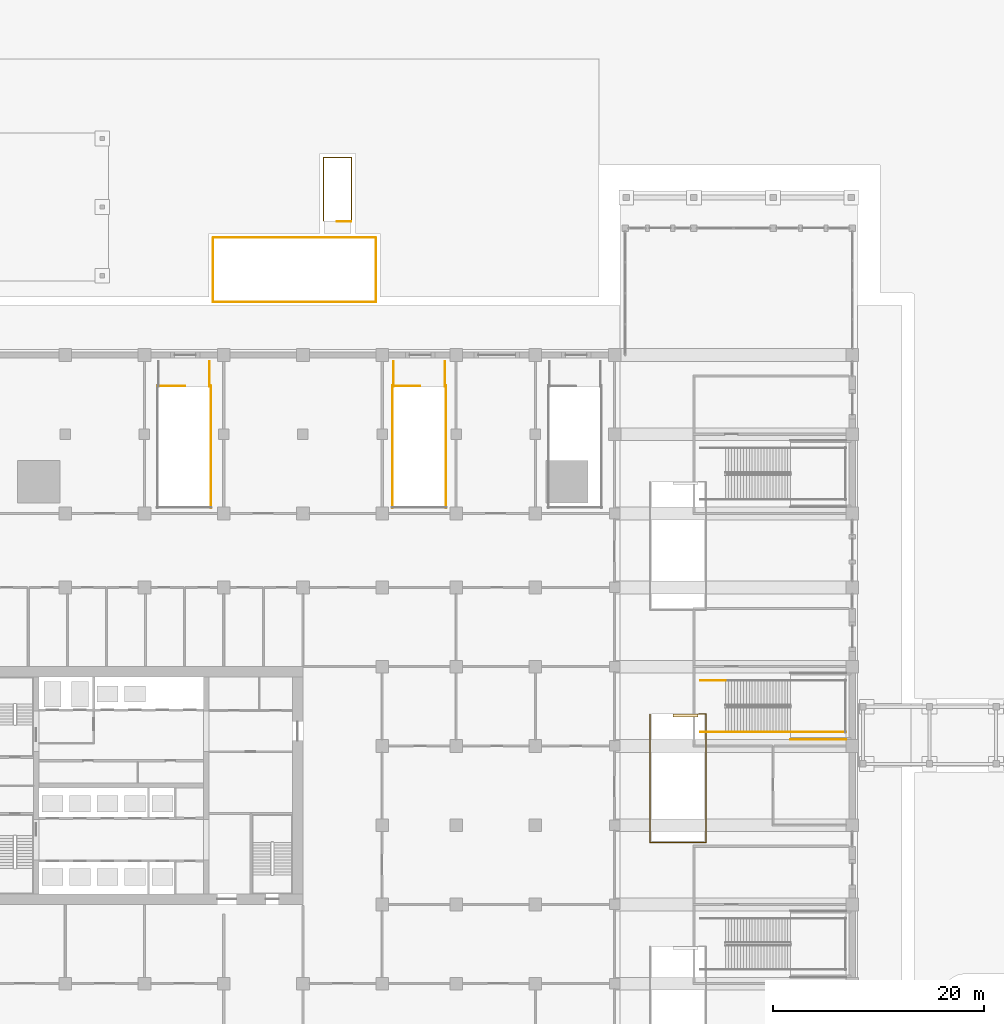
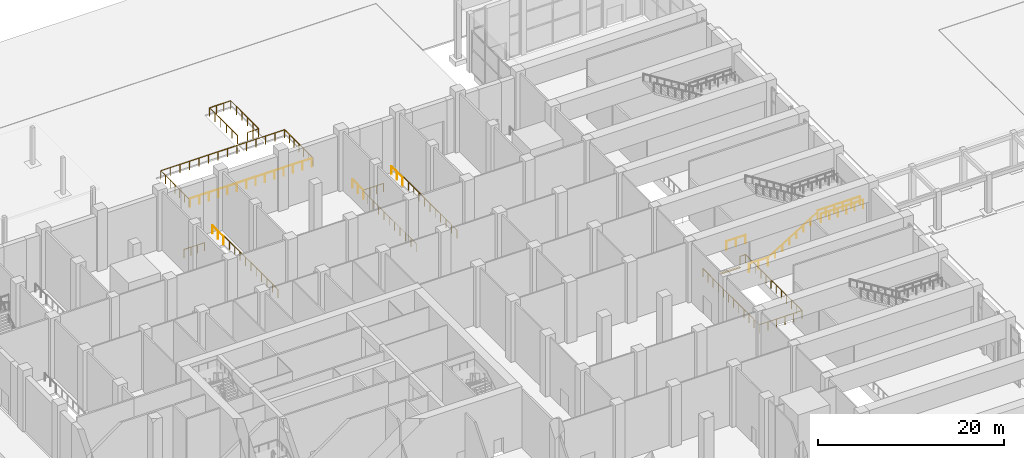
# One storey, part 48 of 57: 18 railings, 1 covering.
"""IFC4 building model written with IfcOpenShell, lengths in metres."""

from ifc_helpers import new_model, si_unit, direction, frame, origin, origin_2d, place, context, subcontext, project, spatial, polyline, circle, outline, extrude, material, layer, layer_set, type_object, element, save


model = new_model("IFC4")

# Units and contexts
model_context = context("Model", 3, precision=1e-05, world=origin(), true_north=direction((0.0, 1.0)))
body_context = subcontext(model_context, "Body", "Model", "MODEL_VIEW")
ifc_project = project(units=[si_unit("LENGTHUNIT", "METRE"), si_unit("AREAUNIT", "SQUARE_METRE"), si_unit("VOLUMEUNIT", "CUBIC_METRE"), si_unit("PLANEANGLEUNIT", "RADIAN"), si_unit("MASSUNIT", "GRAM", prefix="KILO")], contexts=[model_context])

# Site, building, storey
site_placement = place(None, origin())
site = spatial("IfcSite", under=ifc_project, at=site_placement, CompositionType="ELEMENT")
building_placement = place(site_placement, origin())
building = spatial("IfcBuilding", under=site, at=building_placement, Name="Tamorin Gate", CompositionType="ELEMENT")
storey_placement = place(building_placement, origin())
storey = spatial("IfcBuildingStorey", under=building, at=storey_placement, Name="L00", CompositionType="ELEMENT", Elevation=0.0)

# Covering
ifc_material_1 = material(Name="Steel, galvanised", Category="steel")
ifc_layer = layer(ifc_material_1, 0.050048828125)
ifc_layer_set = layer_set([ifc_layer], Name="Escalator landing plate 50")
covering_type = type_object("IfcCoveringType", Name="Escalator landing plate 50", PredefinedType="FLOORING", material=ifc_layer_set)
covering_placement = place(storey_placement, frame((0.0, 0.0, -0.25)))
element("IfcCovering", 1, at=covering_placement, inside=storey, type_object=covering_type, Name="Escalator landing plate", PredefinedType="FLOORING", context=body_context, shape_type="SweptSolid", body=[
    extrude(outline(polyline([(95.0, 77.75), (97.39990234375, 77.75), (97.39990234375, 78.0), (95.0, 78.0), (95.0, 77.75)])), origin(), (0.0, 0.0, 1.0), 0.050048828125),
])

# Railings
ifc_material_2 = material(Name="Steel", Category="steel")
railing_type_1 = type_object("IfcRailingType", Name="Podium guard 1100", PredefinedType="GUARDRAIL", material=ifc_material_2)
railing_1_placement = place(storey_placement, frame((106.159912109375, 76.324951171875, 4.0)))
element("IfcRailing", 2, at=railing_1_placement, inside=storey, type_object=railing_type_1, Name="L00 PS5 stair guard 3", PredefinedType="GUARDRAIL", context=body_context, shape_type="SweptSolid", body=[
    extrude(circle(Radius=0.02392578125, at=origin_2d()), frame((0.0, 0.0, 1.076171875), z_axis=(1.0, 0.0, 0.0), x_axis=(0.0, 1.0, 0.0)), (0.0, 0.0, 1.0), 5.239990234375),
    extrude(circle(Radius=0.02099609375, at=origin_2d()), origin(), (0.0, 0.0, 1.0), 1.052001953125),
    extrude(circle(Radius=0.02099609375, at=origin_2d()), frame((1.048095703125, 0.0, 0.0)), (0.0, 0.0, 1.0), 1.052001953125),
    extrude(circle(Radius=0.02099609375, at=origin_2d()), frame((2.095947265625, 0.0, 0.0)), (0.0, 0.0, 1.0), 1.052001953125),
    extrude(circle(Radius=0.02099609375, at=origin_2d()), frame((3.14404296875, 0.0, 0.0)), (0.0, 0.0, 1.0), 1.052001953125),
    extrude(circle(Radius=0.02099609375, at=origin_2d()), frame((4.19189453125, 0.0, 0.0)), (0.0, 0.0, 1.0), 1.052001953125),
    extrude(circle(Radius=0.02099609375, at=origin_2d()), frame((5.239990234375, 0.0, 0.0)), (0.0, 0.0, 1.0), 1.052001953125),
])
for number, where, name in (
    (3, (97.60009765625, 76.324951171875, 0.0), "L00 PS5 stair guard 8"),
    (4, (97.60009765625, 81.175048828125, 0.0), "L00 PS5 stair guard 9"),
):
    element("IfcRailing", number, at=place(storey_placement, frame(where)), inside=storey, type_object=railing_type_1, Name=name, PredefinedType="GUARDRAIL", context=body_context, shape_type="SweptSolid", body=[
        extrude(circle(Radius=0.02392578125, at=origin_2d()), frame((0.0, 0.0, 1.076171875), z_axis=(1.0, 0.0, 0.0), x_axis=(0.0, 1.0, 0.0)), (0.0, 0.0, 1.0), 2.39990234375),
        extrude(circle(Radius=0.02099609375, at=origin_2d()), origin(), (0.0, 0.0, 1.0), 1.052001953125),
        extrude(circle(Radius=0.02099609375, at=origin_2d()), frame((1.199951171875, 0.0, 0.0)), (0.0, 0.0, 1.0), 1.052001953125),
        extrude(circle(Radius=0.02099609375, at=origin_2d()), frame((2.39990234375, 0.0, 0.0)), (0.0, 0.0, 1.0), 1.052001953125),
    ])
railing_2_placement = place(storey_placement, frame((106.159912109375, 75.60009765625, 4.0)))
element("IfcRailing", 5, at=railing_2_placement, inside=storey, type_object=railing_type_1, Name="Landing edge guard", PredefinedType="GUARDRAIL", context=body_context, shape_type="SweptSolid", body=[
    extrude(circle(Radius=0.02392578125, at=origin_2d()), frame((0.0, 0.0, 1.076171875), z_axis=(1.0, 0.0, 0.0), x_axis=(0.0, 1.0, 0.0)), (0.0, 0.0, 1.0), 5.239990234375),
    extrude(circle(Radius=0.02099609375, at=origin_2d()), origin(), (0.0, 0.0, 1.0), 1.052001953125),
    extrude(circle(Radius=0.02099609375, at=origin_2d()), frame((1.048095703125, 0.0, 0.0)), (0.0, 0.0, 1.0), 1.052001953125),
    extrude(circle(Radius=0.02099609375, at=origin_2d()), frame((2.095947265625, 0.0, 0.0)), (0.0, 0.0, 1.0), 1.052001953125),
    extrude(circle(Radius=0.02099609375, at=origin_2d()), frame((3.14404296875, 0.0, 0.0)), (0.0, 0.0, 1.0), 1.052001953125),
    extrude(circle(Radius=0.02099609375, at=origin_2d()), frame((4.19189453125, 0.0, 0.0)), (0.0, 0.0, 1.0), 1.052001953125),
    extrude(circle(Radius=0.02099609375, at=origin_2d()), frame((5.239990234375, 0.0, 0.0)), (0.0, 0.0, 1.0), 1.052001953125),
])
railing_3_placement = place(storey_placement, frame((46.27490234375, 109.050048828125, 0.0)))
element("IfcRailing", 6, at=railing_3_placement, inside=storey, type_object=railing_type_1, Name="L00 SB3 top well guard 1", PredefinedType="GUARDRAIL", context=body_context, shape_type="SweptSolid", body=[
    extrude(circle(Radius=0.02392578125, at=origin_2d()), frame((0.0, 0.0, 1.076171875), z_axis=(1.0, 0.0, 0.0), x_axis=(0.0, 1.0, 0.0)), (0.0, 0.0, 1.0), 2.550048828125),
    extrude(circle(Radius=0.02099609375, at=origin_2d()), origin(), (0.0, 0.0, 1.0), 1.052001953125),
    extrude(circle(Radius=0.02099609375, at=origin_2d()), frame((0.85009765625, 0.0, 0.0)), (0.0, 0.0, 1.0), 1.052001953125),
    extrude(circle(Radius=0.02099609375, at=origin_2d()), frame((1.699951171875, 0.0, 0.0)), (0.0, 0.0, 1.0), 1.052001953125),
    extrude(circle(Radius=0.02099609375, at=origin_2d()), frame((2.550048828125, 0.0, 0.0)), (0.0, 0.0, 1.0), 1.052001953125),
])
railing_4_placement = place(storey_placement, frame((51.27490234375, 109.10009765625, 0.0)))
element("IfcRailing", 7, at=railing_4_placement, inside=storey, type_object=railing_type_1, Name="L00 SB3 top well guard 3", PredefinedType="GUARDRAIL", context=body_context, shape_type="SweptSolid", body=[
    extrude(circle(Radius=0.02392578125, at=origin_2d()), frame((0.0, 0.0, 1.076171875), z_axis=(0.0, -1.0, 0.0), x_axis=(1.0, 0.0, 0.0)), (0.0, 0.0, 1.0), 11.60009765625),
    extrude(circle(Radius=0.02099609375, at=origin_2d()), origin(), (0.0, 0.0, 1.0), 1.052001953125),
    extrude(circle(Radius=0.02099609375, at=origin_2d()), frame((0.0, -1.159912109375, 0.0)), (0.0, 0.0, 1.0), 1.052001953125),
    extrude(circle(Radius=0.02099609375, at=origin_2d()), frame((0.0, -2.320068359375, 0.0)), (0.0, 0.0, 1.0), 1.052001953125),
    extrude(circle(Radius=0.02099609375, at=origin_2d()), frame((0.0, -3.47998046875, 0.0)), (0.0, 0.0, 1.0), 1.052001953125),
    extrude(circle(Radius=0.02099609375, at=origin_2d()), frame((0.0, -4.64013671875, 0.0)), (0.0, 0.0, 1.0), 1.052001953125),
    extrude(circle(Radius=0.02099609375, at=origin_2d()), frame((0.0, -5.800048828125, 0.0)), (0.0, 0.0, 1.0), 1.052001953125),
    extrude(circle(Radius=0.02099609375, at=origin_2d()), frame((0.0, -6.9599609375, 0.0)), (0.0, 0.0, 1.0), 1.052001953125),
    extrude(circle(Radius=0.02099609375, at=origin_2d()), frame((0.0, -8.1201171875, 0.0)), (0.0, 0.0, 1.0), 1.052001953125),
    extrude(circle(Radius=0.02099609375, at=origin_2d()), frame((0.0, -9.280029296875, 0.0)), (0.0, 0.0, 1.0), 1.052001953125),
    extrude(circle(Radius=0.02099609375, at=origin_2d()), frame((0.0, -10.440185546875, 0.0)), (0.0, 0.0, 1.0), 1.052001953125),
    extrude(circle(Radius=0.02099609375, at=origin_2d()), frame((0.0, -11.60009765625, 0.0)), (0.0, 0.0, 1.0), 1.052001953125),
])
railing_5_placement = place(storey_placement, frame((51.175048828125, 111.39990234375, 0.0)))
element("IfcRailing", 8, at=railing_5_placement, inside=storey, type_object=railing_type_1, Name="L00 SB3 top well guard 6", PredefinedType="GUARDRAIL", context=body_context, shape_type="SweptSolid", body=[
    extrude(circle(Radius=0.02392578125, at=origin_2d()), frame((0.0, 0.0, 1.076171875), z_axis=(0.0, -1.0, 0.0), x_axis=(1.0, 0.0, 0.0)), (0.0, 0.0, 1.0), 2.39990234375),
    extrude(circle(Radius=0.02099609375, at=origin_2d()), origin(), (0.0, 0.0, 1.0), 1.052001953125),
    extrude(circle(Radius=0.02099609375, at=origin_2d()), frame((0.0, -1.199951171875, 0.0)), (0.0, 0.0, 1.0), 1.052001953125),
    extrude(circle(Radius=0.02099609375, at=origin_2d()), frame((0.0, -2.39990234375, 0.0)), (0.0, 0.0, 1.0), 1.052001953125),
])
railing_6_placement = place(storey_placement, frame((68.52490234375, 109.050048828125, 0.0)))
element("IfcRailing", 9, at=railing_6_placement, inside=storey, type_object=railing_type_1, Name="L00 SB4 top well guard 1", PredefinedType="GUARDRAIL", context=body_context, shape_type="SweptSolid", body=[
    extrude(circle(Radius=0.02392578125, at=origin_2d()), frame((0.0, 0.0, 1.076171875), z_axis=(1.0, 0.0, 0.0), x_axis=(0.0, 1.0, 0.0)), (0.0, 0.0, 1.0), 2.550048828125),
    extrude(circle(Radius=0.02099609375, at=origin_2d()), origin(), (0.0, 0.0, 1.0), 1.052001953125),
    extrude(circle(Radius=0.02099609375, at=origin_2d()), frame((0.85009765625, 0.0, 0.0)), (0.0, 0.0, 1.0), 1.052001953125),
    extrude(circle(Radius=0.02099609375, at=origin_2d()), frame((1.699951171875, 0.0, 0.0)), (0.0, 0.0, 1.0), 1.052001953125),
    extrude(circle(Radius=0.02099609375, at=origin_2d()), frame((2.550048828125, 0.0, 0.0)), (0.0, 0.0, 1.0), 1.052001953125),
])
for number, where, name in (
    (10, (68.47509765625, 109.10009765625, 0.0), "L00 SB4 top well guard 2"),
    (11, (73.52490234375, 109.10009765625, 0.0), "L00 SB4 top well guard 3"),
):
    element("IfcRailing", number, at=place(storey_placement, frame(where)), inside=storey, type_object=railing_type_1, Name=name, PredefinedType="GUARDRAIL", context=body_context, shape_type="SweptSolid", body=[
        extrude(circle(Radius=0.02392578125, at=origin_2d()), frame((0.0, 0.0, 1.076171875), z_axis=(0.0, -1.0, 0.0), x_axis=(1.0, 0.0, 0.0)), (0.0, 0.0, 1.0), 11.60009765625),
        extrude(circle(Radius=0.02099609375, at=origin_2d()), origin(), (0.0, 0.0, 1.0), 1.052001953125),
        extrude(circle(Radius=0.02099609375, at=origin_2d()), frame((0.0, -1.159912109375, 0.0)), (0.0, 0.0, 1.0), 1.052001953125),
        extrude(circle(Radius=0.02099609375, at=origin_2d()), frame((0.0, -2.320068359375, 0.0)), (0.0, 0.0, 1.0), 1.052001953125),
        extrude(circle(Radius=0.02099609375, at=origin_2d()), frame((0.0, -3.47998046875, 0.0)), (0.0, 0.0, 1.0), 1.052001953125),
        extrude(circle(Radius=0.02099609375, at=origin_2d()), frame((0.0, -4.64013671875, 0.0)), (0.0, 0.0, 1.0), 1.052001953125),
        extrude(circle(Radius=0.02099609375, at=origin_2d()), frame((0.0, -5.800048828125, 0.0)), (0.0, 0.0, 1.0), 1.052001953125),
        extrude(circle(Radius=0.02099609375, at=origin_2d()), frame((0.0, -6.9599609375, 0.0)), (0.0, 0.0, 1.0), 1.052001953125),
        extrude(circle(Radius=0.02099609375, at=origin_2d()), frame((0.0, -8.1201171875, 0.0)), (0.0, 0.0, 1.0), 1.052001953125),
        extrude(circle(Radius=0.02099609375, at=origin_2d()), frame((0.0, -9.280029296875, 0.0)), (0.0, 0.0, 1.0), 1.052001953125),
        extrude(circle(Radius=0.02099609375, at=origin_2d()), frame((0.0, -10.440185546875, 0.0)), (0.0, 0.0, 1.0), 1.052001953125),
        extrude(circle(Radius=0.02099609375, at=origin_2d()), frame((0.0, -11.60009765625, 0.0)), (0.0, 0.0, 1.0), 1.052001953125),
    ])
for number, where, name in (
    (12, (68.574951171875, 111.39990234375, 0.0), "L00 SB4 top well guard 5"),
    (13, (73.425048828125, 111.39990234375, 0.0), "L00 SB4 top well guard 6"),
):
    element("IfcRailing", number, at=place(storey_placement, frame(where)), inside=storey, type_object=railing_type_1, Name=name, PredefinedType="GUARDRAIL", context=body_context, shape_type="SweptSolid", body=[
        extrude(circle(Radius=0.02392578125, at=origin_2d()), frame((0.0, 0.0, 1.076171875), z_axis=(0.0, -1.0, 0.0), x_axis=(1.0, 0.0, 0.0)), (0.0, 0.0, 1.0), 2.39990234375),
        extrude(circle(Radius=0.02099609375, at=origin_2d()), origin(), (0.0, 0.0, 1.0), 1.052001953125),
        extrude(circle(Radius=0.02099609375, at=origin_2d()), frame((0.0, -1.199951171875, 0.0)), (0.0, 0.0, 1.0), 1.052001953125),
        extrude(circle(Radius=0.02099609375, at=origin_2d()), frame((0.0, -2.39990234375, 0.0)), (0.0, 0.0, 1.0), 1.052001953125),
    ])
railing_type_2 = type_object("IfcRailingType", Name="Podium stair handrail 900", PredefinedType="HANDRAIL", material=ifc_material_2)
railing_7_placement = place(storey_placement, frame((100.0, 76.324951171875, 0.173828125)))
element("IfcRailing", 14, at=railing_7_placement, inside=storey, type_object=railing_type_2, Name="L00 PS5 stair handrail 1", PredefinedType="HANDRAIL", context=body_context, shape_type="SweptSolid", body=[
    extrude(circle(Radius=0.02392578125, at=origin_2d()), frame((0.0, 0.0, 0.8759765625), z_axis=(0.849468459523, 0.0, 0.527639399851), x_axis=(0.0, 1.0, 0.0)), (0.0, 0.0, 1.0), 7.25146484375),
    extrude(circle(Radius=0.02099609375, at=origin_2d()), origin(), (0.0, 0.0, 1.0), 0.851806640625),
    extrude(circle(Radius=0.02099609375, at=origin_2d()), frame((0.8798828125, 0.0, 0.546630859375)), (0.0, 0.0, 1.0), 0.851806640625),
    extrude(circle(Radius=0.02099609375, at=origin_2d()), frame((1.760009765625, 0.0, 1.09326171875)), (0.0, 0.0, 1.0), 0.851806640625),
    extrude(circle(Radius=0.02099609375, at=origin_2d()), frame((2.639892578125, 0.0, 1.639892578125)), (0.0, 0.0, 1.0), 0.851806640625),
    extrude(circle(Radius=0.02099609375, at=origin_2d()), frame((3.52001953125, 0.0, 2.186279296875)), (0.0, 0.0, 1.0), 0.851806640625),
    extrude(circle(Radius=0.02099609375, at=origin_2d()), frame((4.39990234375, 0.0, 2.73291015625)), (0.0, 0.0, 1.0), 0.851806640625),
    extrude(circle(Radius=0.02099609375, at=origin_2d()), frame((5.280029296875, 0.0, 3.279541015625)), (0.0, 0.0, 1.0), 0.851806640625),
    extrude(circle(Radius=0.02099609375, at=origin_2d()), frame((6.159912109375, 0.0, 3.826171875)), (0.0, 0.0, 1.0), 0.851806640625),
])
railing_type_3 = type_object("IfcRailingType", Name="Station barrier 1100", PredefinedType="GUARDRAIL", material=ifc_material_2)
railing_8_placement = place(storey_placement, frame((92.85009765625, 78.0, 0.0)))
element("IfcRailing", 15, at=railing_8_placement, inside=storey, type_object=railing_type_3, Name="Station void barrier", PredefinedType="GUARDRAIL", context=body_context, shape_type="SweptSolid", body=[
    extrude(circle(Radius=0.02392578125, at=origin_2d()), frame((0.0, 0.0, 1.076171875), z_axis=(0.0, -1.0, 0.0), x_axis=(1.0, 0.0, 0.0)), (0.0, 0.0, 1.0), 12.14990234375),
    extrude(circle(Radius=0.02392578125, at=origin_2d()), frame((0.0, -12.14990234375, 1.076171875), z_axis=(1.0, 0.0, 0.0), x_axis=(0.0, 1.0, 0.0)), (0.0, 0.0, 1.0), 5.2998046875),
    extrude(circle(Radius=0.02392578125, at=origin_2d()), frame((5.2998046875, -12.14990234375, 1.076171875), z_axis=(0.0, 1.0, 0.0), x_axis=(-1.0, 0.0, 0.0)), (0.0, 0.0, 1.0), 12.14990234375),
    extrude(circle(Radius=0.02392578125, at=origin_2d()), frame((5.2998046875, 0.0, 1.076171875), z_axis=(-1.0, 0.0, 0.0), x_axis=(0.0, -1.0, 0.0)), (0.0, 0.0, 1.0), 0.699951171875),
    extrude(circle(Radius=0.02099609375, at=origin_2d()), origin(), (0.0, 0.0, 1.0), 1.052001953125),
    extrude(circle(Radius=0.02099609375, at=origin_2d()), frame((0.0, -1.1044921875, 0.0)), (0.0, 0.0, 1.0), 1.052001953125),
    extrude(circle(Radius=0.02099609375, at=origin_2d()), frame((0.0, -2.208984375, 0.0)), (0.0, 0.0, 1.0), 1.052001953125),
    extrude(circle(Radius=0.02099609375, at=origin_2d()), frame((0.0, -3.313720703125, 0.0)), (0.0, 0.0, 1.0), 1.052001953125),
    extrude(circle(Radius=0.02099609375, at=origin_2d()), frame((0.0, -4.418212890625, 0.0)), (0.0, 0.0, 1.0), 1.052001953125),
    extrude(circle(Radius=0.02099609375, at=origin_2d()), frame((0.0, -5.522705078125, 0.0)), (0.0, 0.0, 1.0), 1.052001953125),
    extrude(circle(Radius=0.02099609375, at=origin_2d()), frame((0.0, -6.627197265625, 0.0)), (0.0, 0.0, 1.0), 1.052001953125),
    extrude(circle(Radius=0.02099609375, at=origin_2d()), frame((0.0, -7.731689453125, 0.0)), (0.0, 0.0, 1.0), 1.052001953125),
    extrude(circle(Radius=0.02099609375, at=origin_2d()), frame((0.0, -8.836181640625, 0.0)), (0.0, 0.0, 1.0), 1.052001953125),
    extrude(circle(Radius=0.02099609375, at=origin_2d()), frame((0.0, -9.94091796875, 0.0)), (0.0, 0.0, 1.0), 1.052001953125),
    extrude(circle(Radius=0.02099609375, at=origin_2d()), frame((0.0, -11.04541015625, 0.0)), (0.0, 0.0, 1.0), 1.052001953125),
    extrude(circle(Radius=0.02099609375, at=origin_2d()), frame((0.0, -12.14990234375, 0.0)), (0.0, 0.0, 1.0), 1.052001953125),
    extrude(circle(Radius=0.02099609375, at=origin_2d()), frame((1.06005859375, -12.14990234375, 0.0)), (0.0, 0.0, 1.0), 1.052001953125),
    extrude(circle(Radius=0.02099609375, at=origin_2d()), frame((2.119873046875, -12.14990234375, 0.0)), (0.0, 0.0, 1.0), 1.052001953125),
    extrude(circle(Radius=0.02099609375, at=origin_2d()), frame((3.179931640625, -12.14990234375, 0.0)), (0.0, 0.0, 1.0), 1.052001953125),
    extrude(circle(Radius=0.02099609375, at=origin_2d()), frame((4.23974609375, -12.14990234375, 0.0)), (0.0, 0.0, 1.0), 1.052001953125),
    extrude(circle(Radius=0.02099609375, at=origin_2d()), frame((5.2998046875, -12.14990234375, 0.0)), (0.0, 0.0, 1.0), 1.052001953125),
    extrude(circle(Radius=0.02099609375, at=origin_2d()), frame((5.2998046875, -11.04541015625, 0.0)), (0.0, 0.0, 1.0), 1.052001953125),
    extrude(circle(Radius=0.02099609375, at=origin_2d()), frame((5.2998046875, -9.94091796875, 0.0)), (0.0, 0.0, 1.0), 1.052001953125),
    extrude(circle(Radius=0.02099609375, at=origin_2d()), frame((5.2998046875, -8.836181640625, 0.0)), (0.0, 0.0, 1.0), 1.052001953125),
    extrude(circle(Radius=0.02099609375, at=origin_2d()), frame((5.2998046875, -7.731689453125, 0.0)), (0.0, 0.0, 1.0), 1.052001953125),
    extrude(circle(Radius=0.02099609375, at=origin_2d()), frame((5.2998046875, -6.627197265625, 0.0)), (0.0, 0.0, 1.0), 1.052001953125),
    extrude(circle(Radius=0.02099609375, at=origin_2d()), frame((5.2998046875, -5.522705078125, 0.0)), (0.0, 0.0, 1.0), 1.052001953125),
    extrude(circle(Radius=0.02099609375, at=origin_2d()), frame((5.2998046875, -4.418212890625, 0.0)), (0.0, 0.0, 1.0), 1.052001953125),
    extrude(circle(Radius=0.02099609375, at=origin_2d()), frame((5.2998046875, -3.313720703125, 0.0)), (0.0, 0.0, 1.0), 1.052001953125),
    extrude(circle(Radius=0.02099609375, at=origin_2d()), frame((5.2998046875, -2.208984375, 0.0)), (0.0, 0.0, 1.0), 1.052001953125),
    extrude(circle(Radius=0.02099609375, at=origin_2d()), frame((5.2998046875, -1.1044921875, 0.0)), (0.0, 0.0, 1.0), 1.052001953125),
    extrude(circle(Radius=0.02099609375, at=origin_2d()), frame((5.2998046875, 0.0, 0.0)), (0.0, 0.0, 1.0), 1.052001953125),
    extrude(circle(Radius=0.02099609375, at=origin_2d()), frame((4.599853515625, 0.0, 0.0)), (0.0, 0.0, 1.0), 1.052001953125),
])
railing_type_4 = type_object("IfcRailingType", Name="Steel guard 1100", PredefinedType="GUARDRAIL", material=ifc_material_1)
railing_9_placement = place(storey_placement, frame((64.550048828125, 124.64990234375, 0.0)))
element("IfcRailing", 16, at=railing_9_placement, inside=storey, type_object=railing_type_4, Name="L00 SB10 top well guard 1", PredefinedType="GUARDRAIL", context=body_context, shape_type="SweptSolid", body=[
    extrude(circle(Radius=0.02392578125, at=origin_2d()), frame((0.0, 0.0, 1.076171875), z_axis=(-1.0, 0.0, 0.0), x_axis=(0.0, -1.0, 0.0)), (0.0, 0.0, 1.0), 1.35009765625),
    extrude(circle(Radius=0.02099609375, at=origin_2d()), origin(), (0.0, 0.0, 1.0), 1.052001953125),
    extrude(circle(Radius=0.02099609375, at=origin_2d()), frame((-0.675048828125, 0.0, 0.0)), (0.0, 0.0, 1.0), 1.052001953125),
    extrude(circle(Radius=0.02099609375, at=origin_2d()), frame((-1.35009765625, 0.0, 0.0)), (0.0, 0.0, 1.0), 1.052001953125),
])
railing_10_placement = place(storey_placement, frame((51.5, 117.0, 0.0)))
element("IfcRailing", 17, at=railing_10_placement, inside=storey, type_object=railing_type_4, Name="Service court guard", PredefinedType="GUARDRAIL", context=body_context, shape_type="SweptSolid", body=[
    extrude(circle(Radius=0.02392578125, at=origin_2d()), frame((0.0, 0.0, 1.076171875), z_axis=(0.0, 1.0, 0.0), x_axis=(-1.0, 0.0, 0.0)), (0.0, 0.0, 1.0), 6.10009765625),
    extrude(circle(Radius=0.02392578125, at=origin_2d()), frame((0.0, 6.10009765625, 1.076171875), z_axis=(1.0, 0.0, 0.0), x_axis=(0.0, 1.0, 0.0)), (0.0, 0.0, 1.0), 15.39990234375),
    extrude(circle(Radius=0.02392578125, at=origin_2d()), frame((15.39990234375, 6.10009765625, 1.076171875), z_axis=(0.0, -1.0, 0.0), x_axis=(1.0, 0.0, 0.0)), (0.0, 0.0, 1.0), 6.10009765625),
    extrude(circle(Radius=0.02099609375, at=origin_2d()), origin(), (0.0, 0.0, 1.0), 1.052001953125),
    extrude(circle(Radius=0.02099609375, at=origin_2d()), frame((0.0, 1.0166015625, 0.0)), (0.0, 0.0, 1.0), 1.052001953125),
    extrude(circle(Radius=0.02099609375, at=origin_2d()), frame((0.0, 2.033447265625, 0.0)), (0.0, 0.0, 1.0), 1.052001953125),
    extrude(circle(Radius=0.02099609375, at=origin_2d()), frame((0.0, 3.050048828125, 0.0)), (0.0, 0.0, 1.0), 1.052001953125),
    extrude(circle(Radius=0.02099609375, at=origin_2d()), frame((0.0, 4.066650390625, 0.0)), (0.0, 0.0, 1.0), 1.052001953125),
    extrude(circle(Radius=0.02099609375, at=origin_2d()), frame((0.0, 5.08349609375, 0.0)), (0.0, 0.0, 1.0), 1.052001953125),
    extrude(circle(Radius=0.02099609375, at=origin_2d()), frame((0.0, 6.10009765625, 0.0)), (0.0, 0.0, 1.0), 1.052001953125),
    extrude(circle(Radius=0.02099609375, at=origin_2d()), frame((1.1845703125, 6.10009765625, 0.0)), (0.0, 0.0, 1.0), 1.052001953125),
    extrude(circle(Radius=0.02099609375, at=origin_2d()), frame((2.369140625, 6.10009765625, 0.0)), (0.0, 0.0, 1.0), 1.052001953125),
    extrude(circle(Radius=0.02099609375, at=origin_2d()), frame((3.5537109375, 6.10009765625, 0.0)), (0.0, 0.0, 1.0), 1.052001953125),
    extrude(circle(Radius=0.02099609375, at=origin_2d()), frame((4.738525390625, 6.10009765625, 0.0)), (0.0, 0.0, 1.0), 1.052001953125),
    extrude(circle(Radius=0.02099609375, at=origin_2d()), frame((5.923095703125, 6.10009765625, 0.0)), (0.0, 0.0, 1.0), 1.052001953125),
    extrude(circle(Radius=0.02099609375, at=origin_2d()), frame((7.107666015625, 6.10009765625, 0.0)), (0.0, 0.0, 1.0), 1.052001953125),
    extrude(circle(Radius=0.02099609375, at=origin_2d()), frame((8.292236328125, 6.10009765625, 0.0)), (0.0, 0.0, 1.0), 1.052001953125),
    extrude(circle(Radius=0.02099609375, at=origin_2d()), frame((9.476806640625, 6.10009765625, 0.0)), (0.0, 0.0, 1.0), 1.052001953125),
    extrude(circle(Radius=0.02099609375, at=origin_2d()), frame((10.661376953125, 6.10009765625, 0.0)), (0.0, 0.0, 1.0), 1.052001953125),
    extrude(circle(Radius=0.02099609375, at=origin_2d()), frame((11.84619140625, 6.10009765625, 0.0)), (0.0, 0.0, 1.0), 1.052001953125),
    extrude(circle(Radius=0.02099609375, at=origin_2d()), frame((13.03076171875, 6.10009765625, 0.0)), (0.0, 0.0, 1.0), 1.052001953125),
    extrude(circle(Radius=0.02099609375, at=origin_2d()), frame((14.21533203125, 6.10009765625, 0.0)), (0.0, 0.0, 1.0), 1.052001953125),
    extrude(circle(Radius=0.02099609375, at=origin_2d()), frame((15.39990234375, 6.10009765625, 0.0)), (0.0, 0.0, 1.0), 1.052001953125),
    extrude(circle(Radius=0.02099609375, at=origin_2d()), frame((15.39990234375, 5.08349609375, 0.0)), (0.0, 0.0, 1.0), 1.052001953125),
    extrude(circle(Radius=0.02099609375, at=origin_2d()), frame((15.39990234375, 4.066650390625, 0.0)), (0.0, 0.0, 1.0), 1.052001953125),
    extrude(circle(Radius=0.02099609375, at=origin_2d()), frame((15.39990234375, 3.050048828125, 0.0)), (0.0, 0.0, 1.0), 1.052001953125),
    extrude(circle(Radius=0.02099609375, at=origin_2d()), frame((15.39990234375, 2.033447265625, 0.0)), (0.0, 0.0, 1.0), 1.052001953125),
    extrude(circle(Radius=0.02099609375, at=origin_2d()), frame((15.39990234375, 1.0166015625, 0.0)), (0.0, 0.0, 1.0), 1.052001953125),
    extrude(circle(Radius=0.02099609375, at=origin_2d()), frame((15.39990234375, 0.0, 0.0)), (0.0, 0.0, 1.0), 1.052001953125),
])
railing_11_placement = place(storey_placement, frame((51.64990234375, 117.0, 0.0)))
element("IfcRailing", 18, at=railing_11_placement, inside=storey, type_object=railing_type_4, Name="Service court guard", PredefinedType="GUARDRAIL", context=body_context, shape_type="SweptSolid", body=[
    extrude(circle(Radius=0.02392578125, at=origin_2d()), frame((0.0, 0.0, 1.076171875), z_axis=(1.0, 0.0, 0.0), x_axis=(0.0, 1.0, 0.0)), (0.0, 0.0, 1.0), 15.10009765625),
    extrude(circle(Radius=0.02099609375, at=origin_2d()), origin(), (0.0, 0.0, 1.0), 1.052001953125),
    extrude(circle(Radius=0.02099609375, at=origin_2d()), frame((1.16162109375, 0.0, 0.0)), (0.0, 0.0, 1.0), 1.052001953125),
    extrude(circle(Radius=0.02099609375, at=origin_2d()), frame((2.322998046875, 0.0, 0.0)), (0.0, 0.0, 1.0), 1.052001953125),
    extrude(circle(Radius=0.02099609375, at=origin_2d()), frame((3.484619140625, 0.0, 0.0)), (0.0, 0.0, 1.0), 1.052001953125),
    extrude(circle(Radius=0.02099609375, at=origin_2d()), frame((4.646240234375, 0.0, 0.0)), (0.0, 0.0, 1.0), 1.052001953125),
    extrude(circle(Radius=0.02099609375, at=origin_2d()), frame((5.8076171875, 0.0, 0.0)), (0.0, 0.0, 1.0), 1.052001953125),
    extrude(circle(Radius=0.02099609375, at=origin_2d()), frame((6.96923828125, 0.0, 0.0)), (0.0, 0.0, 1.0), 1.052001953125),
    extrude(circle(Radius=0.02099609375, at=origin_2d()), frame((8.130859375, 0.0, 0.0)), (0.0, 0.0, 1.0), 1.052001953125),
    extrude(circle(Radius=0.02099609375, at=origin_2d()), frame((9.29248046875, 0.0, 0.0)), (0.0, 0.0, 1.0), 1.052001953125),
    extrude(circle(Radius=0.02099609375, at=origin_2d()), frame((10.453857421875, 0.0, 0.0)), (0.0, 0.0, 1.0), 1.052001953125),
    extrude(circle(Radius=0.02099609375, at=origin_2d()), frame((11.615478515625, 0.0, 0.0)), (0.0, 0.0, 1.0), 1.052001953125),
    extrude(circle(Radius=0.02099609375, at=origin_2d()), frame((12.777099609375, 0.0, 0.0)), (0.0, 0.0, 1.0), 1.052001953125),
    extrude(circle(Radius=0.02099609375, at=origin_2d()), frame((13.9384765625, 0.0, 0.0)), (0.0, 0.0, 1.0), 1.052001953125),
    extrude(circle(Radius=0.02099609375, at=origin_2d()), frame((15.10009765625, 0.0, 0.0)), (0.0, 0.0, 1.0), 1.052001953125),
])
railing_12_placement = place(storey_placement, frame((61.9599609375, 124.699951171875, 0.0)))
element("IfcRailing", 19, at=railing_12_placement, inside=storey, type_object=railing_type_4, Name="Service court guard", PredefinedType="GUARDRAIL", context=body_context, shape_type="SweptSolid", body=[
    extrude(circle(Radius=0.02392578125, at=origin_2d()), frame((0.0, 0.0, 1.076171875), z_axis=(0.0, 1.0, 0.0), x_axis=(-1.0, 0.0, 0.0)), (0.0, 0.0, 1.0), 6.0),
    extrude(circle(Radius=0.02392578125, at=origin_2d()), frame((0.0, 6.0, 1.076171875), z_axis=(1.0, 0.0, 0.0), x_axis=(0.0, 1.0, 0.0)), (0.0, 0.0, 1.0), 2.630126953125),
    extrude(circle(Radius=0.02392578125, at=origin_2d()), frame((2.630126953125, 6.0, 1.076171875), z_axis=(0.0, -1.0, 0.0), x_axis=(1.0, 0.0, 0.0)), (0.0, 0.0, 1.0), 5.97998046875),
    extrude(circle(Radius=0.02099609375, at=origin_2d()), origin(), (0.0, 0.0, 1.0), 1.052001953125),
    extrude(circle(Radius=0.02099609375, at=origin_2d()), frame((0.0, 1.199951171875, 0.0)), (0.0, 0.0, 1.0), 1.052001953125),
    extrude(circle(Radius=0.02099609375, at=origin_2d()), frame((0.0, 2.39990234375, 0.0)), (0.0, 0.0, 1.0), 1.052001953125),
    extrude(circle(Radius=0.02099609375, at=origin_2d()), frame((0.0, 3.60009765625, 0.0)), (0.0, 0.0, 1.0), 1.052001953125),
    extrude(circle(Radius=0.02099609375, at=origin_2d()), frame((0.0, 4.800048828125, 0.0)), (0.0, 0.0, 1.0), 1.052001953125),
    extrude(circle(Radius=0.02099609375, at=origin_2d()), frame((0.0, 6.0, 0.0)), (0.0, 0.0, 1.0), 1.052001953125),
    extrude(circle(Radius=0.02099609375, at=origin_2d()), frame((0.876708984375, 6.0, 0.0)), (0.0, 0.0, 1.0), 1.052001953125),
    extrude(circle(Radius=0.02099609375, at=origin_2d()), frame((1.75341796875, 6.0, 0.0)), (0.0, 0.0, 1.0), 1.052001953125),
    extrude(circle(Radius=0.02099609375, at=origin_2d()), frame((2.630126953125, 6.0, 0.0)), (0.0, 0.0, 1.0), 1.052001953125),
    extrude(circle(Radius=0.02099609375, at=origin_2d()), frame((2.630126953125, 4.803955078125, 0.0)), (0.0, 0.0, 1.0), 1.052001953125),
    extrude(circle(Radius=0.02099609375, at=origin_2d()), frame((2.630126953125, 3.60791015625, 0.0)), (0.0, 0.0, 1.0), 1.052001953125),
    extrude(circle(Radius=0.02099609375, at=origin_2d()), frame((2.630126953125, 2.412109375, 0.0)), (0.0, 0.0, 1.0), 1.052001953125),
    extrude(circle(Radius=0.02099609375, at=origin_2d()), frame((2.630126953125, 1.216064453125, 0.0)), (0.0, 0.0, 1.0), 1.052001953125),
    extrude(circle(Radius=0.02099609375, at=origin_2d()), frame((2.630126953125, 0.02001953125, 0.0)), (0.0, 0.0, 1.0), 1.052001953125),
])

save(model, "model.ifc")
